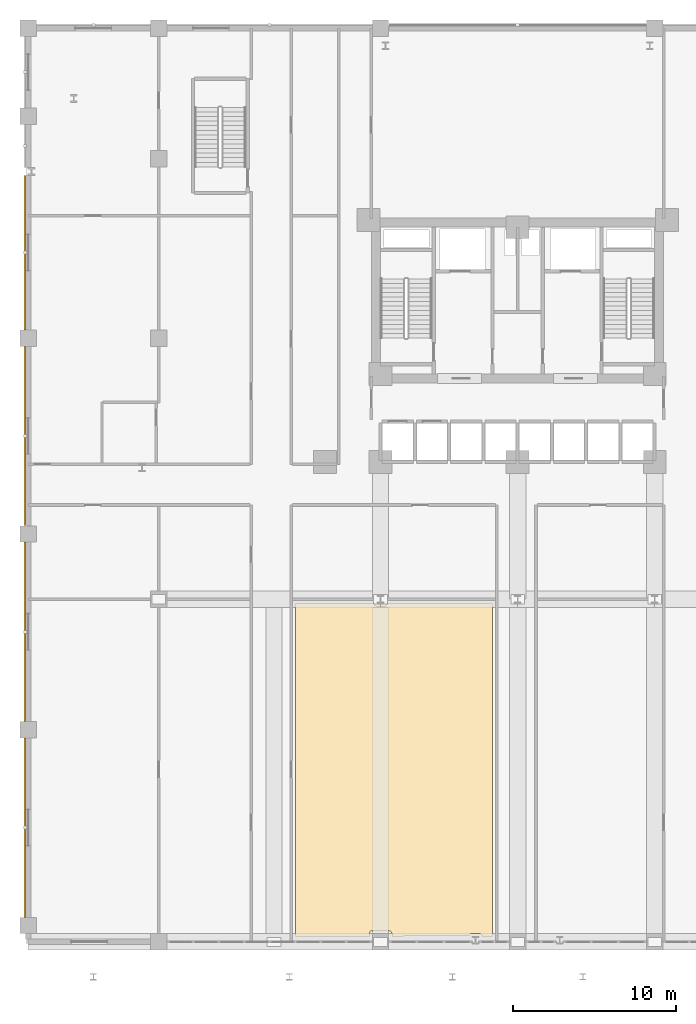
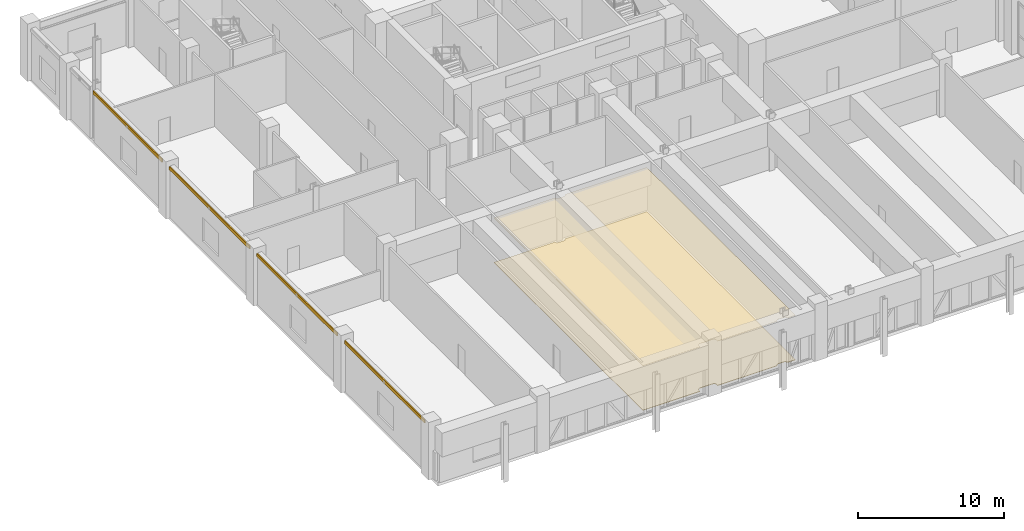
# One storey, part 39 of 44: 4 shading devices, 2 coverings.
"""IFC4 building model written with IfcOpenShell, lengths in metres."""

from ifc_helpers import new_model, si_unit, derived_unit, direction, frame, origin, origin_2d, place, context, subcontext, project, spatial, polyline, hollow_rectangle, outline, extrude, source, transform, mapped, material, layer, layer_set, material_profile, profile_set, type_object, element, save


model = new_model("IFC4")

# Units and contexts
model_context = context("Model", 3, precision=1e-05, world=origin(), true_north=direction((0.0, 1.0)))
body_context = subcontext(model_context, "Body", "Model", "MODEL_VIEW")
ifc_project = project(units=[si_unit("LENGTHUNIT", "METRE"), si_unit("AREAUNIT", "SQUARE_METRE"), si_unit("VOLUMEUNIT", "CUBIC_METRE"), si_unit("PLANEANGLEUNIT", "RADIAN"), si_unit("MASSUNIT", "GRAM", prefix="KILO"), derived_unit("THERMALTRANSMITTANCEUNIT", [(si_unit("POWERUNIT", "WATT"), 1), (si_unit("LENGTHUNIT", "METRE"), -2), (si_unit("THERMODYNAMICTEMPERATUREUNIT", "KELVIN"), -1)])], contexts=[model_context])

# Site, building, storey
site_placement = place(None, origin())
site = spatial("IfcSite", under=ifc_project, at=site_placement, CompositionType="ELEMENT")
building_placement = place(site_placement, origin())
building = spatial("IfcBuilding", under=site, at=building_placement, Name="Korsvarv Bourse and Concert Hall", CompositionType="ELEMENT")
storey_placement = place(building_placement, frame((0.0, 0.0, 9.60009765625)))
storey = spatial("IfcBuildingStorey", under=building, at=storey_placement, Name="L02", CompositionType="ELEMENT", Elevation=9.60009765625)

# Coverings
ifc_material_1 = material(Name="Perforated mineral-wool and birch acoustic baffle ceiling", Category="wood")
ifc_layer_1 = layer(ifc_material_1, 0.02490234375)
ifc_layer_set_1 = layer_set([ifc_layer_1], Name="Perforated mineral-wool and birch acoustic baffle ceiling")
covering_type_1 = type_object("IfcCoveringType", Name="COV-CEIL-1", PredefinedType="CEILING", material=ifc_layer_set_1)
covering_1_placement = place(storey_placement, frame((0.0, 0.0, 3.72998046875)))
element("IfcCovering", 1, at=covering_1_placement, inside=storey, type_object=covering_type_1, Name="L02 acoustic baffle ceiling 2", PredefinedType="CEILING", context=body_context, shape_type="SweptSolid", body=[
    extrude(outline(polyline([(27.19873046875, 23.74560546875), (27.20556640625, 23.71142578125), (27.218505859375, 23.67919921875), (27.23779296875, 23.650146484375), (27.261962890625, 23.625244140625), (27.29052734375, 23.605712890625), (27.322509765625, 23.591796875), (27.3564453125, 23.584228515625), (27.807861328125, 23.572998046875), (27.84228515625, 23.57568359375), (27.87548828125, 23.584716796875), (27.906494140625, 23.599853515625), (27.93408203125, 23.620849609375), (27.95703125, 23.646484375), (27.974853515625, 23.67626953125), (27.986572265625, 23.708740234375), (27.99169921875, 23.742919921875), (34.469970703125, 23.75), (34.469970703125, 3.340087890625), (33.819580078125, 3.340087890625), (33.816650390625, 3.365234375), (33.806884765625, 3.398681640625), (33.79052734375, 3.429443359375), (33.768798828125, 3.45654296875), (33.7421875, 3.47900390625), (33.7119140625, 3.495849609375), (33.6787109375, 3.506591796875), (33.644287109375, 3.5107421875), (33.210205078125, 3.520751953125), (33.17578125, 3.51806640625), (33.142333984375, 3.509033203125), (33.111328125, 3.493896484375), (33.083984375, 3.472900390625), (33.060791015625, 3.447021484375), (33.043212890625, 3.41748046875), (33.031494140625, 3.384765625), (33.0263671875, 3.3505859375), (28.2900390625, 3.340087890625), (28.2900390625, 3.5), (28.28662109375, 3.534912109375), (28.276611328125, 3.568603515625), (28.260009765625, 3.599365234375), (28.23779296875, 3.626708984375), (28.2109375, 3.64892578125), (28.18017578125, 3.665771484375), (28.146484375, 3.67626953125), (28.11181640625, 3.679931640625), (27.101806640625, 3.68994140625), (27.06689453125, 3.68701171875), (27.033447265625, 3.67724609375), (27.00244140625, 3.661376953125), (26.97509765625, 3.6396484375), (26.952392578125, 3.61328125), (26.935302734375, 3.582763671875), (26.92431640625, 3.5498046875), (26.920166015625, 3.51513671875), (26.9150390625, 3.340087890625), (22.3798828125, 3.340087890625), (22.3798828125, 23.75), (27.19873046875, 23.74560546875)])), origin(), (0.0, 0.0, 1.0), 0.02490234375),
])
ifc_material_2 = material(Name="Calcium-sulphate raised access trading floor with Nordic oak top", Category="wood")
ifc_layer_2 = layer(ifc_material_2, 0.0400390625)
ifc_layer_set_2 = layer_set([ifc_layer_2], Name="Calcium-sulphate raised access trading floor with Nordic oak top")
covering_type_2 = type_object("IfcCoveringType", Name="COV-FLOR-1", PredefinedType="FLOORING", material=ifc_layer_set_2)
covering_2_placement = place(storey_placement, origin())
element("IfcCovering", 2, at=covering_2_placement, inside=storey, type_object=covering_type_2, Name="L02 raised access oak floor finish 2", PredefinedType="FLOORING", context=body_context, shape_type="SweptSolid", body=[
    extrude(outline(polyline([(27.19873046875, 23.74560546875), (27.20556640625, 23.71142578125), (27.218505859375, 23.67919921875), (27.23779296875, 23.650146484375), (27.261962890625, 23.625244140625), (27.29052734375, 23.605712890625), (27.322509765625, 23.591796875), (27.3564453125, 23.584228515625), (27.807861328125, 23.572998046875), (27.84228515625, 23.57568359375), (27.87548828125, 23.584716796875), (27.906494140625, 23.599853515625), (27.93408203125, 23.620849609375), (27.95703125, 23.646484375), (27.974853515625, 23.67626953125), (27.986572265625, 23.708740234375), (27.99169921875, 23.742919921875), (34.469970703125, 23.75), (34.469970703125, 3.340087890625), (33.819580078125, 3.340087890625), (33.816650390625, 3.365234375), (33.806884765625, 3.398681640625), (33.79052734375, 3.429443359375), (33.768798828125, 3.45654296875), (33.7421875, 3.47900390625), (33.7119140625, 3.495849609375), (33.6787109375, 3.506591796875), (33.644287109375, 3.5107421875), (33.210205078125, 3.520751953125), (33.17578125, 3.51806640625), (33.142333984375, 3.509033203125), (33.111328125, 3.493896484375), (33.083984375, 3.472900390625), (33.060791015625, 3.447021484375), (33.043212890625, 3.41748046875), (33.031494140625, 3.384765625), (33.0263671875, 3.3505859375), (28.2900390625, 3.340087890625), (28.2900390625, 3.5), (28.28662109375, 3.534912109375), (28.276611328125, 3.568603515625), (28.260009765625, 3.599365234375), (28.23779296875, 3.626708984375), (28.2109375, 3.64892578125), (28.18017578125, 3.665771484375), (28.146484375, 3.67626953125), (28.11181640625, 3.679931640625), (27.101806640625, 3.68994140625), (27.06689453125, 3.68701171875), (27.033447265625, 3.67724609375), (27.00244140625, 3.661376953125), (26.97509765625, 3.6396484375), (26.952392578125, 3.61328125), (26.935302734375, 3.582763671875), (26.92431640625, 3.5498046875), (26.920166015625, 3.51513671875), (26.9150390625, 3.340087890625), (22.3798828125, 3.340087890625), (22.3798828125, 23.75), (27.19873046875, 23.74560546875)])), origin(), (0.0, 0.0, 1.0), 0.039794921875),
])

# Shading devices
ifc_material_3 = material(Name="Glazed extruded architectural terracotta", Category="ceramic")
ifc_material_profile = material_profile(ifc_material_3, hollow_rectangle(XDim=0.090087890625, YDim=0.260009765625, WallThickness=0.011962890625, at=origin_2d()), Name="TC-BAG 90x260")
ifc_profile_set = profile_set([ifc_material_profile], Name="Glazed extruded architectural terracotta")
shading_device_type = type_object("IfcShadingDeviceType", Name="SHD-BAG-1", PredefinedType="USERDEFINED", material=ifc_profile_set)
shared_shape_1 = source(origin(), body_context, "Body", "SweptSolid", [
    extrude(hollow_rectangle(XDim=0.090087890625, YDim=0.260009765625, WallThickness=0.011962890625, at=origin_2d()), origin(), (0.0, 0.0, 1.0), 10.990234375),
])
for number, where, z_axis, x_axis, name in (
    (3, (5.804931640625, 4.5048828125, 4.18994140625), (0.0, 1.0, 0.0), (-1.0, 0.0, 0.0), "L02 terracotta baguette sunshade EW-L02-W1-2"),
    (4, (5.804931640625, 16.5048828125, 4.18994140625), (0.0, 1.0, 0.0), (-1.0, 0.0, 0.0), "L02 terracotta baguette sunshade EW-L02-W2"),
    (5, (5.804931640625, 28.5048828125, 4.18994140625), (0.0, 1.0, 0.0), (-1.0, 0.0, 0.0), "L02 terracotta baguette sunshade EW-L02-W3"),
):
    element("IfcShadingDevice", number, at=place(storey_placement, frame(where, z_axis=z_axis, x_axis=x_axis)), inside=storey, type_object=shading_device_type, Name=name, ObjectType="BAGUETTE", PredefinedType="USERDEFINED", context=body_context, shape_type="MappedRepresentation", body=[
        mapped(shared_shape_1, transform((0.0, 0.0, 0.0), scale=1.0)),
    ])
shared_shape_2 = source(origin(), body_context, "Body", "SweptSolid", [
    extrude(hollow_rectangle(XDim=0.090087890625, YDim=0.260009765625, WallThickness=0.011962890625, at=origin_2d()), origin(), (0.0, 0.0, 1.0), 9.47021484375),
])
shading_device_placement = place(storey_placement, frame((5.804931640625, 40.5048828125, 4.18994140625), z_axis=(0.0, 1.0, 0.0), x_axis=(-1.0, 0.0, 0.0)))
element("IfcShadingDevice", 6, at=shading_device_placement, inside=storey, type_object=shading_device_type, Name="L02 terracotta baguette sunshade EW-L02-W4-1", ObjectType="BAGUETTE", PredefinedType="USERDEFINED", context=body_context, shape_type="MappedRepresentation", body=[
    mapped(shared_shape_2, transform((0.0, 0.0, 0.0), scale=1.0)),
])

save(model, "model.ifc")
